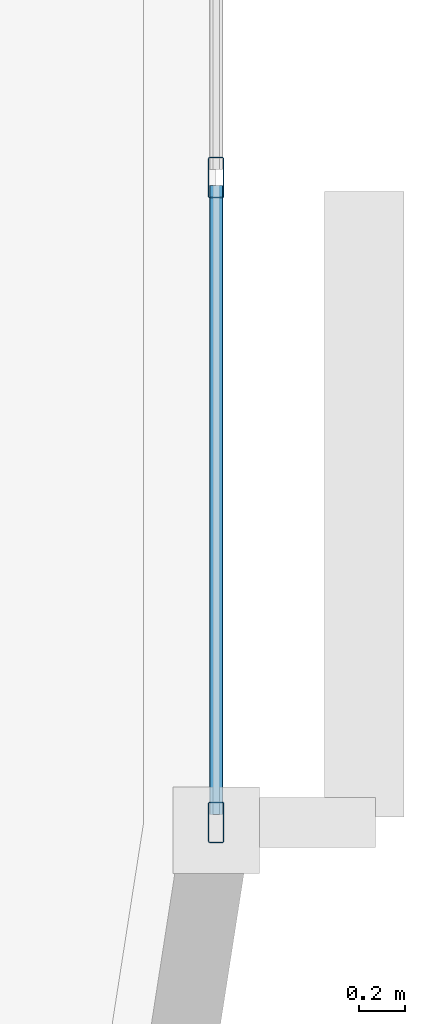
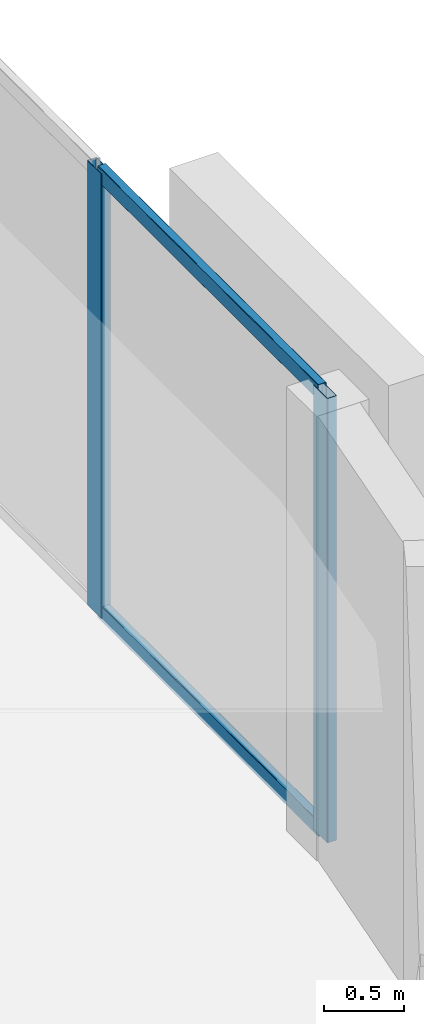
# One storey, part 4 of 15: 4 members, 1 element without a shape of its own.
"""IFC4 building model written with IfcOpenShell, lengths in metres."""

import ifcopenshell
import ifcopenshell.guid

model = None  # the IFC model being written
_history = None  # IfcOwnerHistory: only IFC2X3 demands one
_inside = {}  # id of a spatial element -> (the spatial element, [elements in it])
_under = {}  # id of a project, library or spatial element -> (it, [spatial elements below it])
_declared = {}  # id of a project -> (the project, [libraries it declares])
_typed = {}  # id of a type object -> (the type object, [elements of that type])
_made_of = {}  # id of a material, layer set ... -> (it, [elements and type objects made of it])


def new_model(schema):
    """Start an empty IFC model of exactly this schema.

    Asked for "IFC4X3", IfcOpenShell would pick the latest addendum, in which some entities
    have other attributes; the version numbers below select the first issue.
    IFC2X3 requires an IfcOwnerHistory on every rooted entity: one is made here for all.
    """
    global model, _history
    if schema == "IFC4X3":
        model = ifcopenshell.file(schema_version=(4, 3, 0, 0))
    else:
        model = ifcopenshell.file(schema=schema)
    _inside.clear()
    _under.clear()
    _declared.clear()
    _typed.clear()
    _made_of.clear()
    _history = None
    if model.schema == "IFC2X3":
        org = make("IfcOrganization", Name="unknown")
        user = make(
            "IfcPersonAndOrganization",
            ThePerson=make("IfcPerson", FamilyName="unknown"),
            TheOrganization=org,
        )
        app = make(
            "IfcApplication",
            ApplicationDeveloper=org,
            Version="unknown",
            ApplicationFullName="unknown",
            ApplicationIdentifier="unknown",
        )
        _history = make(
            "IfcOwnerHistory",
            OwningUser=user,
            OwningApplication=app,
            ChangeAction="ADDED",
            CreationDate=0,
        )
    return model


def make(cls, **values):
    """One entity of the class cls with the attributes given. An attribute that is None is left unset."""
    return model.create_entity(
        cls, **{name: value for name, value in values.items() if value is not None}
    )


def rooted(cls, **values):
    """An entity with a GlobalId (a new one), such as an element, a storey or a relation."""
    return make(cls, GlobalId=ifcopenshell.guid.new(), OwnerHistory=_history, **values)


def si_unit(unit_type, name, prefix=None):
    """IfcSIUnit, for example si_unit("LENGTHUNIT", "METRE", prefix="MILLI")."""
    return make("IfcSIUnit", UnitType=unit_type, Prefix=prefix, Name=name)


def assignment(units):
    """IfcUnitAssignment: the units of a project."""
    return None if units is None else make("IfcUnitAssignment", Units=units)


def point(xyz):
    """IfcCartesianPoint."""
    return None if xyz is None else make("IfcCartesianPoint", Coordinates=xyz)


def direction(xyz):
    """IfcDirection."""
    return None if xyz is None else make("IfcDirection", DirectionRatios=xyz)


def frame(location, z_axis=None, x_axis=None):
    """IfcAxis2Placement3D, a coordinate frame: its origin and axes. An axis left out is left unset."""
    return make(
        "IfcAxis2Placement3D",
        Location=point(location),
        Axis=direction(z_axis),
        RefDirection=direction(x_axis),
    )


def frame_2d(location, x_axis=None):
    """IfcAxis2Placement2D, a coordinate frame in the plane: its origin and x axis."""
    return make(
        "IfcAxis2Placement2D", Location=point(location), RefDirection=direction(x_axis)
    )


def origin():
    """The frame at (0, 0, 0) with its axes left unset."""
    return frame((0.0, 0.0, 0.0))


def origin_2d():
    """The frame at (0, 0) in the plane with its x axis left unset."""
    return frame_2d((0.0, 0.0))


def place(relative_to, where):
    """IfcLocalPlacement: puts the frame where relative to a parent placement (None: the world)."""
    return make(
        "IfcLocalPlacement", PlacementRelTo=relative_to, RelativePlacement=where
    )


def context(
    kind, dimensions, precision=None, world=None, true_north=None, identifier=None
):
    """IfcGeometricRepresentationContext, for example the 3D "Model" context."""
    return make(
        "IfcGeometricRepresentationContext",
        ContextIdentifier=identifier,
        ContextType=kind,
        CoordinateSpaceDimension=dimensions,
        Precision=precision,
        WorldCoordinateSystem=world,
        TrueNorth=true_north,
    )


def subcontext(parent, identifier, kind, view, scale=None):
    """IfcGeometricRepresentationSubContext, for example "Body" below "Model"."""
    return make(
        "IfcGeometricRepresentationSubContext",
        ContextIdentifier=identifier,
        ContextType=kind,
        ParentContext=parent,
        TargetScale=scale,
        TargetView=view,
    )


def project(units=None, contexts=None):
    """IfcProject with its units and contexts."""
    return rooted(
        "IfcProject",
        Name="project",
        RepresentationContexts=contexts,
        UnitsInContext=assignment(units),
    )


def spatial(cls, under=None, at=None, **own):
    """A site, building, storey or space (cls), placed at a placement, below another one or the project."""
    s = rooted(cls, ObjectPlacement=at, **own)
    if under is not None:
        _under.setdefault(under.id(), (under, []))[1].append(s)
    return s


def profile(cls, at=None, kind="AREA", **sizes):
    """A parametric profile (cls). Its sizes go by their IFC names, for example OverallWidth=200.0."""
    return make(cls, ProfileType=kind, Position=at, **sizes)


def hollow_rectangle(**sizes):
    """IfcRectangleHollowProfileDef."""
    return profile("IfcRectangleHollowProfileDef", **sizes)


def extrude(swept, where, along, depth):
    """IfcExtrudedAreaSolid: the profile swept, set in the frame where, extruded along a direction by depth."""
    return make(
        "IfcExtrudedAreaSolid",
        SweptArea=swept,
        Position=where,
        ExtrudedDirection=direction(along),
        Depth=depth,
    )


def shape(context_of_items, identifier, shape_type, items):
    """IfcShapeRepresentation: the items that make up one representation, for example the "Body"."""
    return make(
        "IfcShapeRepresentation",
        ContextOfItems=context_of_items,
        RepresentationIdentifier=identifier,
        RepresentationType=shape_type,
        Items=items,
    )


def material(Name=None, Category=None):
    """IfcMaterial."""
    return make("IfcMaterial", Name=Name, Category=Category)


def layer(
    of_material, thickness, ventilated=None, Name=None, Category=None, Priority=None
):
    """IfcMaterialLayer: one layer of a wall or slab, of a material (None: an air gap)."""
    return make(
        "IfcMaterialLayer",
        Material=of_material,
        LayerThickness=thickness,
        IsVentilated=ventilated,
        Name=Name,
        Category=Category,
        Priority=Priority,
    )


def layer_set(layers, Name=None):
    """IfcMaterialLayerSet."""
    return make("IfcMaterialLayerSet", MaterialLayers=layers, LayerSetName=Name)


def material_profile(
    of_material, cross_section, Name=None, Category=None, Priority=None
):
    """IfcMaterialProfile: a cross section and its material."""
    return make(
        "IfcMaterialProfile",
        Name=Name,
        Material=of_material,
        Profile=cross_section,
        Priority=Priority,
        Category=Category,
    )


def profile_set(profiles, Name=None, composite=None):
    """IfcMaterialProfileSet."""
    return make(
        "IfcMaterialProfileSet",
        Name=Name,
        MaterialProfiles=profiles,
        CompositeProfile=composite,
    )


def made_of(thing, what):
    """Note that an element or type object is made of a material, layer set ...; save() writes the relation."""
    if what is not None:
        _made_of.setdefault(what.id(), (what, []))[1].append(thing)
    return thing


def type_object(cls, material=None, **own):
    """A type object (cls), such as IfcWallType, which elements share."""
    return made_of(rooted(cls, **own), material)


def element(
    cls,
    number,
    at=None,
    inside=None,
    cuts=None,
    type_object=None,
    material=None,
    context=None,
    identifier="Body",
    shape_type=None,
    held_by="IfcProductDefinitionShape",
    body=None,
    shapes=None,
    **own,
):
    """One element of the class cls, such as IfcWall. Its Tag is "e" and its number.

    at: its placement. inside: the storey or other place that contains it. cuts: it is an
    opening in that element (IfcRelVoidsElement). A single representation is given by context,
    identifier, shape_type and body (its items); several are given by shapes. held_by: the class
    of the entity that holds the representations. save() writes the other relations.
    """
    e = rooted(cls, Tag="e%d" % number, ObjectPlacement=at, **own)
    if body is not None:
        shapes = [shape(context, identifier, shape_type, body)]
    if shapes is not None:
        e.Representation = make(held_by, Representations=shapes)
    if inside is not None:
        _inside.setdefault(inside.id(), (inside, []))[1].append(e)
    if cuts is not None:
        rooted(
            "IfcRelVoidsElement", RelatingBuildingElement=cuts, RelatedOpeningElement=e
        )
    if type_object is not None:
        _typed.setdefault(type_object.id(), (type_object, []))[1].append(e)
    return made_of(e, material)


def aggregate(whole, parts):
    """IfcRelAggregates: a whole, such as a stair, and the parts it consists of."""
    return rooted("IfcRelAggregates", RelatingObject=whole, RelatedObjects=parts)


def save(model, path):
    """Write the relations noted so far, then the file.

    IfcRelAggregates (storeys below a building ...), IfcRelContainedInSpatialStructure (elements
    in a storey), IfcRelDefinesByType, IfcRelAssociatesMaterial and IfcRelDeclares: one each for
    every whole, place, type object, material and project.
    """
    for whole, parts in _under.values():
        aggregate(whole, parts)
    for where, things in _inside.values():
        rooted(
            "IfcRelContainedInSpatialStructure",
            RelatedElements=things,
            RelatingStructure=where,
        )
    for kind, things in _typed.values():
        rooted("IfcRelDefinesByType", RelatedObjects=things, RelatingType=kind)
    for what, things in _made_of.values():
        rooted("IfcRelAssociatesMaterial", RelatedObjects=things, RelatingMaterial=what)
    for by, libraries in _declared.values():
        rooted("IfcRelDeclares", RelatingContext=by, RelatedDefinitions=libraries)
    model.write(path)


model = new_model("IFC4")

# Units and contexts
model_context = context("Model", 3, precision=1e-05, world=origin(), true_north=direction((0.0, 1.0)))
body_context = subcontext(model_context, "Body", "Model", "MODEL_VIEW")
ifc_project = project(units=[si_unit("LENGTHUNIT", "METRE"), si_unit("AREAUNIT", "SQUARE_METRE"), si_unit("VOLUMEUNIT", "CUBIC_METRE"), si_unit("PLANEANGLEUNIT", "RADIAN"), si_unit("MASSUNIT", "GRAM", prefix="KILO")], contexts=[model_context])

# Site, building, storey
site_placement = place(None, origin())
site = spatial("IfcSite", under=ifc_project, at=site_placement, CompositionType="ELEMENT")
building_placement = place(site_placement, origin())
building = spatial("IfcBuilding", under=site, at=building_placement, Name="An Khanh Terracotta Commons", CompositionType="ELEMENT")
storey_placement = place(building_placement, frame((0.0, 0.0, 86.300048828125)))
storey = spatial("IfcBuildingStorey", under=building, at=storey_placement, Name="L22", CompositionType="ELEMENT", Elevation=86.300048828125)

# Curtain wall, members
ifc_material = material(Name="Anodised Aluminium 6063-T6", Category="aluminium")
ifc_layer = layer(ifc_material, 0.199951171875, Name="Anodised Aluminium 6063-T6")
ifc_layer_set = layer_set([ifc_layer], Name="Anodised Aluminium 6063-T6")
curtain_wall_type = type_object("IfcCurtainWallType", Name="CW-SYS-02", PredefinedType="USERDEFINED", material=ifc_layer_set)
curtain_wall_placement = place(storey_placement, origin())
curtain_wall = element("IfcCurtainWall", 1, at=curtain_wall_placement, inside=storey, type_object=curtain_wall_type, Name="L22 CW-02 Unitised Curtain Wall CW-L22-12", ObjectType="UNITISED CURTAIN WALL", PredefinedType="USERDEFINED")
ifc_material_profile_1 = material_profile(ifc_material, hollow_rectangle(XDim=0.070068359375, YDim=0.179931640625, WallThickness=0.00390625, InnerFilletRadius=0.00390625, OuterFilletRadius=0.008056640625, at=origin_2d()), Name="RHS180x70x4")
ifc_profile_set_1 = profile_set([ifc_material_profile_1], Name="Anodised Aluminium 6063-T6")
member_type_1 = type_object("IfcMemberType", Name="CWM-RHS180x70x4", PredefinedType="MULLION", material=ifc_profile_set_1)
member_1_placement = place(storey_placement, frame((57.39990234375, 15.43505859375, 0.0), z_axis=(0.0, 0.0, 1.0), x_axis=(-1.0, 0.0, 0.0)))
member_1 = element("IfcMember", 2, at=member_1_placement, type_object=member_type_1, Name="CW-02 mullion 1", PredefinedType="MULLION", context=body_context, shape_type="SweptSolid", body=[
    extrude(hollow_rectangle(XDim=0.070068359375, YDim=0.179931640625, WallThickness=0.00390625, InnerFilletRadius=0.00390625, OuterFilletRadius=0.008056640625, at=origin_2d()), origin(), (0.0, 0.0, 1.0), 3.39990234375),
])
member_2_placement = place(storey_placement, frame((57.39990234375, 18.2666015625, 0.0), z_axis=(0.0, 0.0, 1.0), x_axis=(-1.0, 0.0, 0.0)))
member_2 = element("IfcMember", 3, at=member_2_placement, type_object=member_type_1, Name="CW-02 mullion 2", PredefinedType="MULLION", context=body_context, shape_type="SweptSolid", body=[
    extrude(hollow_rectangle(XDim=0.070068359375, YDim=0.179931640625, WallThickness=0.00390625, InnerFilletRadius=0.00390625, OuterFilletRadius=0.008056640625, at=origin_2d()), origin(), (0.0, 0.0, 1.0), 3.39990234375),
])
ifc_material_profile_2 = material_profile(ifc_material, hollow_rectangle(XDim=0.06005859375, YDim=0.1201171875, WallThickness=0.003662109375, InnerFilletRadius=0.003662109375, OuterFilletRadius=0.007080078125, at=origin_2d()), Name="RHS120x60x3.6")
ifc_profile_set_2 = profile_set([ifc_material_profile_2], Name="Anodised Aluminium 6063-T6")
member_type_2 = type_object("IfcMemberType", Name="CWT-RHS120x60x3.6", PredefinedType="USERDEFINED", material=ifc_profile_set_2)
member_3_placement = place(storey_placement, frame((57.39990234375, 15.469970703125, 0.030029296875), z_axis=(0.0, 1.0, 0.0), x_axis=(-1.0, 0.0, 0.0)))
member_3 = element("IfcMember", 4, at=member_3_placement, type_object=member_type_2, Name="CW-02 transom 1.1", ObjectType="TRANSOM", PredefinedType="USERDEFINED", context=body_context, shape_type="SweptSolid", body=[
    extrude(hollow_rectangle(XDim=0.06005859375, YDim=0.1201171875, WallThickness=0.003662109375, InnerFilletRadius=0.003662109375, OuterFilletRadius=0.007080078125, at=origin_2d()), origin(), (0.0, 0.0, 1.0), 2.76171875),
])
member_4_placement = place(storey_placement, frame((57.39990234375, 15.469970703125, 3.369873046875), z_axis=(0.0, 1.0, 0.0), x_axis=(-1.0, 0.0, 0.0)))
member_4 = element("IfcMember", 5, at=member_4_placement, type_object=member_type_2, Name="CW-02 transom 1.2", ObjectType="TRANSOM", PredefinedType="USERDEFINED", context=body_context, shape_type="SweptSolid", body=[
    extrude(hollow_rectangle(XDim=0.06005859375, YDim=0.1201171875, WallThickness=0.003662109375, InnerFilletRadius=0.003662109375, OuterFilletRadius=0.007080078125, at=origin_2d()), origin(), (0.0, 0.0, 1.0), 2.76171875),
])
aggregate(curtain_wall, [member_1, member_2, member_3, member_4])

save(model, "model.ifc")
